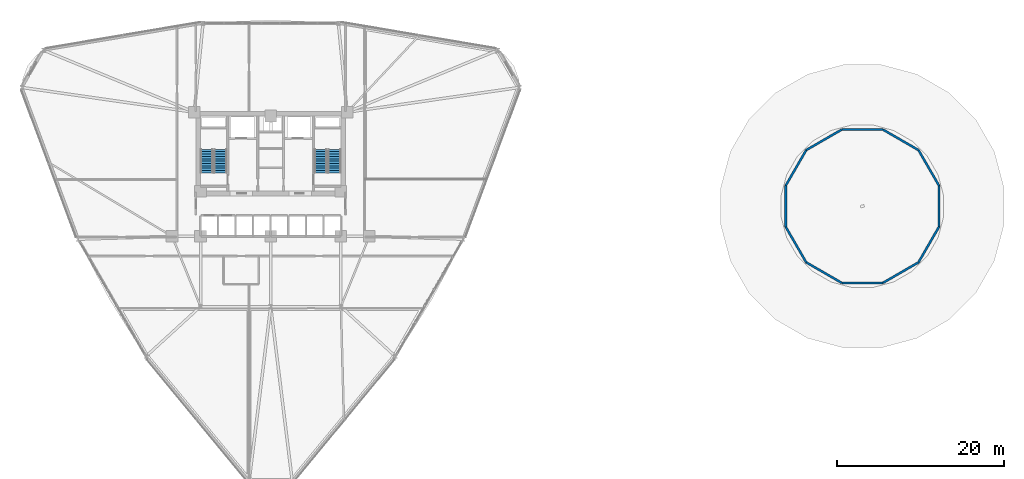
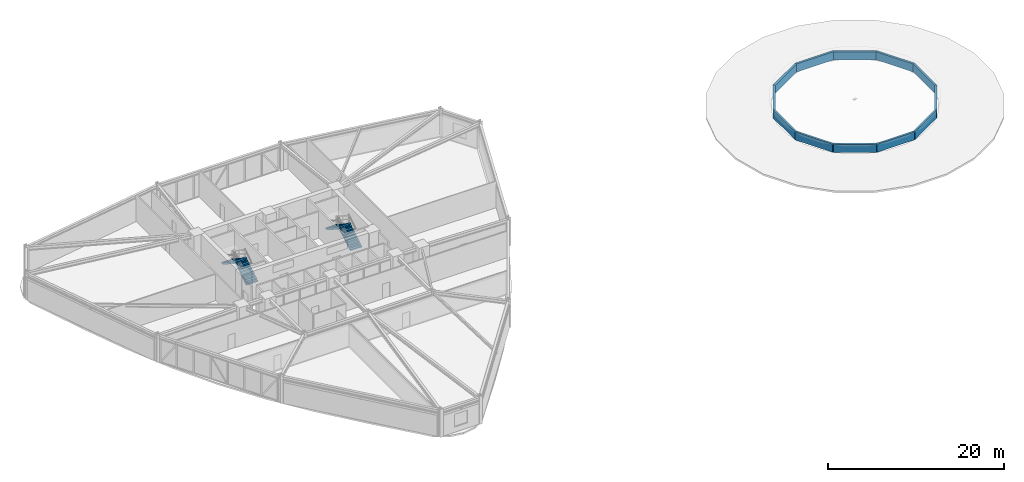
# One storey, part 18 of 23: 12 walls, 4 stair flights, 2 elements without a shape of their own.
"""IFC4 building model written with IfcOpenShell, lengths in metres."""

from ifc_helpers import new_model, si_unit, derived_unit, direction, frame, frame_2d, origin, place, context, subcontext, project, spatial, polyline, rectangle, outline, extrude, material, layer, layer_set, type_object, element, aggregate, save


model = new_model("IFC4")

# Units and contexts
model_context = context("Model", 3, precision=1e-05, world=origin(), true_north=direction((0.0, 1.0)))
body_context = subcontext(model_context, "Body", "Model", "MODEL_VIEW")
ifc_project = project(units=[si_unit("LENGTHUNIT", "METRE"), si_unit("AREAUNIT", "SQUARE_METRE"), si_unit("VOLUMEUNIT", "CUBIC_METRE"), si_unit("PLANEANGLEUNIT", "RADIAN"), si_unit("MASSUNIT", "GRAM", prefix="KILO"), derived_unit("THERMALTRANSMITTANCEUNIT", [(si_unit("POWERUNIT", "WATT"), 1), (si_unit("LENGTHUNIT", "METRE"), -2), (si_unit("THERMODYNAMICTEMPERATUREUNIT", "KELVIN"), -1)])], contexts=[model_context])

# Site, building, storey
site_placement = place(None, origin())
site = spatial("IfcSite", under=ifc_project, at=site_placement, CompositionType="ELEMENT")
building_placement = place(site_placement, origin())
building = spatial("IfcBuilding", under=site, at=building_placement, Name="Korsvarv Bourse and Concert Hall", CompositionType="ELEMENT")
storey_placement = place(building_placement, frame((0.0, 0.0, 24.0)))
storey = spatial("IfcBuildingStorey", under=building, at=storey_placement, Name="L05", CompositionType="ELEMENT", Elevation=24.0)

# Walls
ifc_material_1 = material(Name="Insulated aluminium and terracotta crown enclosure wall", Category="concrete")
ifc_layer = layer(ifc_material_1, 0.260009765625)
ifc_layer_set = layer_set([ifc_layer], Name="Insulated aluminium and terracotta crown enclosure wall")
wall_type = type_object("IfcWallType", Name="WL-EXT-CRN", PredefinedType="SOLIDWALL", material=ifc_layer_set)
for number, where, z_axis, x_axis, name in (
    (1, (115.976318359375, 38.458740234375, 0.239990234375), (0.0, 0.0, 1.0), (-0.499988900423, 0.866031812033, 0.0), "Concert Hall Roof Clerestory Wall 1"),
    (2, (113.517578125, 42.717529296875, 0.239990234375), (0.0, 0.0, 1.0), (-0.866031812033, 0.499988900423, 0.0), "Concert Hall Roof Clerestory Wall 2"),
    (3, (109.2587890625, 45.17626953125, 0.239990234375), (0.0, 0.0, 1.0), (-1.0, 0.0, 0.0), "Concert Hall Roof Clerestory Wall 3"),
    (4, (104.34130859375, 45.17626953125, 0.239990234375), (0.0, 0.0, 1.0), (-0.866031812033, -0.499988900423, 0.0), "Concert Hall Roof Clerestory Wall 4"),
    (5, (100.08251953125, 42.717529296875, 0.239990234375), (0.0, 0.0, 1.0), (-0.499988900423, -0.866031812033, 0.0), "Concert Hall Roof Clerestory Wall 5"),
    (6, (97.623779296875, 38.458740234375, 0.239990234375), (0.0, 0.0, 1.0), (0.0, -1.0, 0.0), "Concert Hall Roof Clerestory Wall 6"),
    (7, (97.623779296875, 33.541259765625, 0.239990234375), (0.0, 0.0, 1.0), (0.499988900423, -0.866031812033, 0.0), "Concert Hall Roof Clerestory Wall 7"),
    (8, (100.08251953125, 29.282470703125, 0.239990234375), (0.0, 0.0, 1.0), (0.866031812033, -0.499988900423, 0.0), "Concert Hall Roof Clerestory Wall 8"),
    (9, (104.34130859375, 26.82373046875, 0.239990234375), (0.0, 0.0, 1.0), (1.0, 0.0, 0.0), "Concert Hall Roof Clerestory Wall 9"),
    (10, (109.2587890625, 26.82373046875, 0.239990234375), (0.0, 0.0, 1.0), (0.866031812033, 0.499988900423, 0.0), "Concert Hall Roof Clerestory Wall 10"),
    (11, (113.517578125, 29.282470703125, 0.239990234375), (0.0, 0.0, 1.0), (0.499988900423, 0.866031812033, 0.0), "Concert Hall Roof Clerestory Wall 11"),
    (12, (115.976318359375, 33.541259765625, 0.239990234375), (0.0, 0.0, 1.0), (0.0, 1.0, 0.0), "Concert Hall Roof Clerestory Wall 12"),
):
    element("IfcWall", number, at=place(storey_placement, frame(where, z_axis=z_axis, x_axis=x_axis)), inside=storey, type_object=wall_type, Name=name, PredefinedType="SOLIDWALL", context=body_context, shape_type="SweptSolid", body=[
        extrude(rectangle(XDim=4.91748046875, YDim=0.260009765625, at=frame_2d((2.458740234375, 0.0))), origin(), (0.0, 0.0, 1.0), 1.1201171875),
    ])

# Stair, stair flights
ifc_material_2 = material(Name="Precast concrete C45/55", Category="concrete")
stair_type = type_object("IfcStairType", Name="STR-TYPE-03", PredefinedType="HALF_TURN_STAIR", material=ifc_material_2)
stair_1_placement = place(storey_placement, origin())
stair_1 = element("IfcStair", 13, at=stair_1_placement, inside=storey, type_object=stair_type, Name="L05 Tower West Exit Stair ST-T1", PredefinedType="HALF_TURN_STAIR")
stair_flight_type = type_object("IfcStairFlightType", Name="FLT-TYPE-03", PredefinedType="STRAIGHT", material=ifc_material_2)
stair_flight_1_placement = place(storey_placement, frame((30.010009765625, 40.0, 0.0), z_axis=(0.0, 0.0, 1.0), x_axis=(0.0, 1.0, 0.0)))
stair_flight_1 = element("IfcStairFlight", 14, at=stair_flight_1_placement, type_object=stair_flight_type, Name="ST-T1 flight 1", NumberOfRisers=11, NumberOfTreads=10, PredefinedType="STRAIGHT", RiserHeight=0.177272727, TreadLength=0.28, context=body_context, shape_type="SweptSolid", body=[
    extrude(outline(polyline([(0.0, 0.0), (0.0, 0.17724609375), (0.280029296875, 0.17724609375), (0.280029296875, 0.3544921875), (0.56005859375, 0.3544921875), (0.56005859375, 0.53173828125), (0.840087890625, 0.53173828125), (0.840087890625, 0.708984375), (1.1201171875, 0.708984375), (1.1201171875, 0.886474609375), (1.39990234375, 0.886474609375), (1.39990234375, 1.063720703125), (1.679931640625, 1.063720703125), (1.679931640625, 1.240966796875), (1.9599609375, 1.240966796875), (1.9599609375, 1.418212890625), (2.239990234375, 1.418212890625), (2.239990234375, 1.595458984375), (2.52001953125, 1.595458984375), (2.52001953125, 1.772705078125), (2.800048828125, 1.772705078125), (2.800048828125, 1.949951171875), (2.800048828125, 1.59521484375), (0.2802734375, 0.0), (0.0, 0.0)])), frame((0.0, 0.75, 0.0), z_axis=(0.0, -1.0, 0.0), x_axis=(1.0, 0.0, 0.0)), (0.0, 0.0, 1.0), 1.5),
])
stair_flight_2_placement = place(storey_placement, frame((28.35009765625, 42.800048828125, 1.949951171875), z_axis=(0.0, 0.0, 1.0), x_axis=(0.0, -1.0, 0.0)))
stair_flight_2 = element("IfcStairFlight", 15, at=stair_flight_2_placement, type_object=stair_flight_type, Name="ST-T1 flight 2", NumberOfRisers=11, NumberOfTreads=10, PredefinedType="STRAIGHT", RiserHeight=0.177272727, TreadLength=0.28, context=body_context, shape_type="SweptSolid", body=[
    extrude(outline(polyline([(0.0, 0.0), (0.0, 0.17724609375), (0.280029296875, 0.17724609375), (0.280029296875, 0.3544921875), (0.56005859375, 0.3544921875), (0.56005859375, 0.53173828125), (0.840087890625, 0.53173828125), (0.840087890625, 0.708984375), (1.1201171875, 0.708984375), (1.1201171875, 0.886474609375), (1.39990234375, 0.886474609375), (1.39990234375, 1.063720703125), (1.679931640625, 1.063720703125), (1.679931640625, 1.240966796875), (1.9599609375, 1.240966796875), (1.9599609375, 1.418212890625), (2.239990234375, 1.418212890625), (2.239990234375, 1.595458984375), (2.52001953125, 1.595458984375), (2.52001953125, 1.772705078125), (2.800048828125, 1.772705078125), (2.800048828125, 1.949951171875), (2.800048828125, 1.59521484375), (0.2802734375, 0.0), (0.0, 0.0)])), frame((0.0, 0.75, 0.0), z_axis=(0.0, -1.0, 0.0), x_axis=(1.0, 0.0, 0.0)), (0.0, 0.0, 1.0), 1.5),
])
aggregate(stair_1, [stair_flight_1, stair_flight_2])

stair_2_placement = place(storey_placement, origin())
stair_2 = element("IfcStair", 16, at=stair_2_placement, inside=storey, type_object=stair_type, Name="L05 Tower East Exit Stair ST-T2", PredefinedType="HALF_TURN_STAIR")
stair_flight_3_placement = place(storey_placement, frame((43.64990234375, 40.0, 0.0), z_axis=(0.0, 0.0, 1.0), x_axis=(0.0, 1.0, 0.0)))
stair_flight_3 = element("IfcStairFlight", 17, at=stair_flight_3_placement, type_object=stair_flight_type, Name="ST-T2 flight 1", NumberOfRisers=11, NumberOfTreads=10, PredefinedType="STRAIGHT", RiserHeight=0.177272727, TreadLength=0.28, context=body_context, shape_type="SweptSolid", body=[
    extrude(outline(polyline([(0.0, 0.0), (0.0, 0.17724609375), (0.280029296875, 0.17724609375), (0.280029296875, 0.3544921875), (0.56005859375, 0.3544921875), (0.56005859375, 0.53173828125), (0.840087890625, 0.53173828125), (0.840087890625, 0.708984375), (1.1201171875, 0.708984375), (1.1201171875, 0.886474609375), (1.39990234375, 0.886474609375), (1.39990234375, 1.063720703125), (1.679931640625, 1.063720703125), (1.679931640625, 1.240966796875), (1.9599609375, 1.240966796875), (1.9599609375, 1.418212890625), (2.239990234375, 1.418212890625), (2.239990234375, 1.595458984375), (2.52001953125, 1.595458984375), (2.52001953125, 1.772705078125), (2.800048828125, 1.772705078125), (2.800048828125, 1.949951171875), (2.800048828125, 1.59521484375), (0.2802734375, 0.0), (0.0, 0.0)])), frame((0.0, 0.75, 0.0), z_axis=(0.0, -1.0, 0.0), x_axis=(1.0, 0.0, 0.0)), (0.0, 0.0, 1.0), 1.5),
])
stair_flight_4_placement = place(storey_placement, frame((41.989990234375, 42.800048828125, 1.949951171875), z_axis=(0.0, 0.0, 1.0), x_axis=(0.0, -1.0, 0.0)))
stair_flight_4 = element("IfcStairFlight", 18, at=stair_flight_4_placement, type_object=stair_flight_type, Name="ST-T2 flight 2", NumberOfRisers=11, NumberOfTreads=10, PredefinedType="STRAIGHT", RiserHeight=0.177272727, TreadLength=0.28, context=body_context, shape_type="SweptSolid", body=[
    extrude(outline(polyline([(0.0, 0.0), (0.0, 0.17724609375), (0.280029296875, 0.17724609375), (0.280029296875, 0.3544921875), (0.56005859375, 0.3544921875), (0.56005859375, 0.53173828125), (0.840087890625, 0.53173828125), (0.840087890625, 0.708984375), (1.1201171875, 0.708984375), (1.1201171875, 0.886474609375), (1.39990234375, 0.886474609375), (1.39990234375, 1.063720703125), (1.679931640625, 1.063720703125), (1.679931640625, 1.240966796875), (1.9599609375, 1.240966796875), (1.9599609375, 1.418212890625), (2.239990234375, 1.418212890625), (2.239990234375, 1.595458984375), (2.52001953125, 1.595458984375), (2.52001953125, 1.772705078125), (2.800048828125, 1.772705078125), (2.800048828125, 1.949951171875), (2.800048828125, 1.59521484375), (0.2802734375, 0.0), (0.0, 0.0)])), frame((0.0, 0.75, 0.0), z_axis=(0.0, -1.0, 0.0), x_axis=(1.0, 0.0, 0.0)), (0.0, 0.0, 1.0), 1.5),
])
aggregate(stair_2, [stair_flight_3, stair_flight_4])

save(model, "model.ifc")
